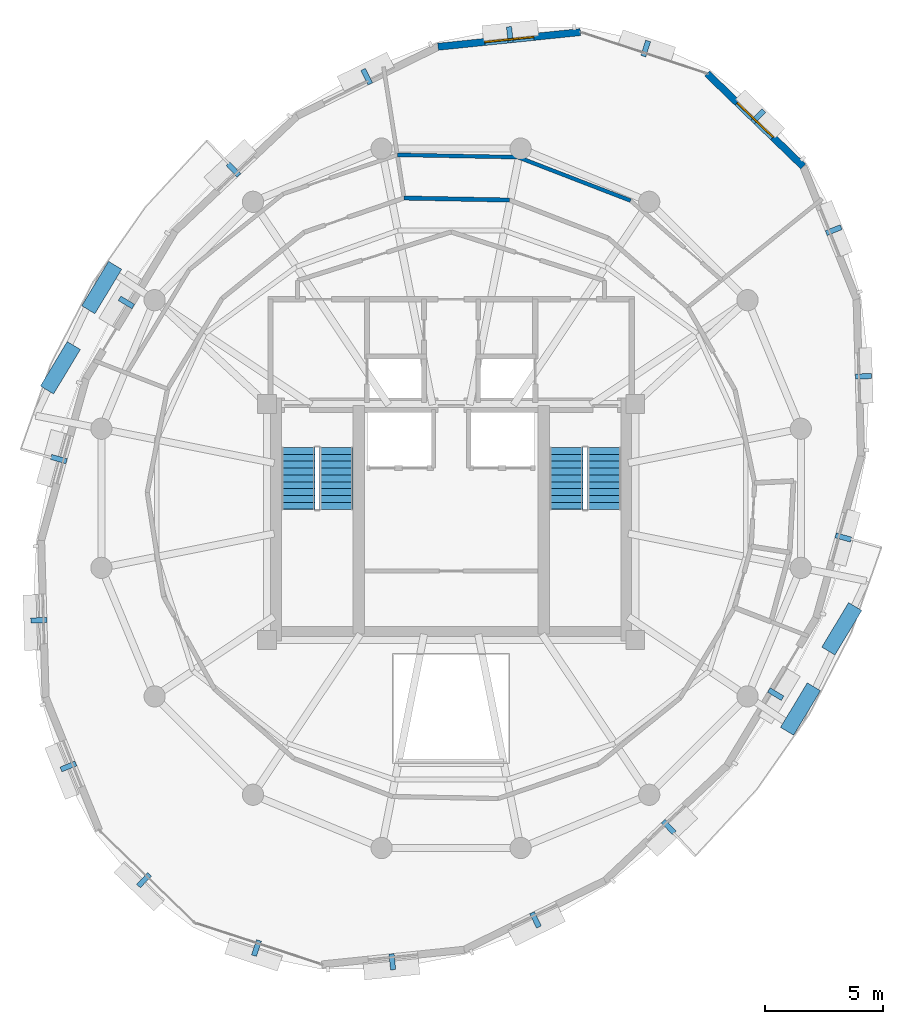
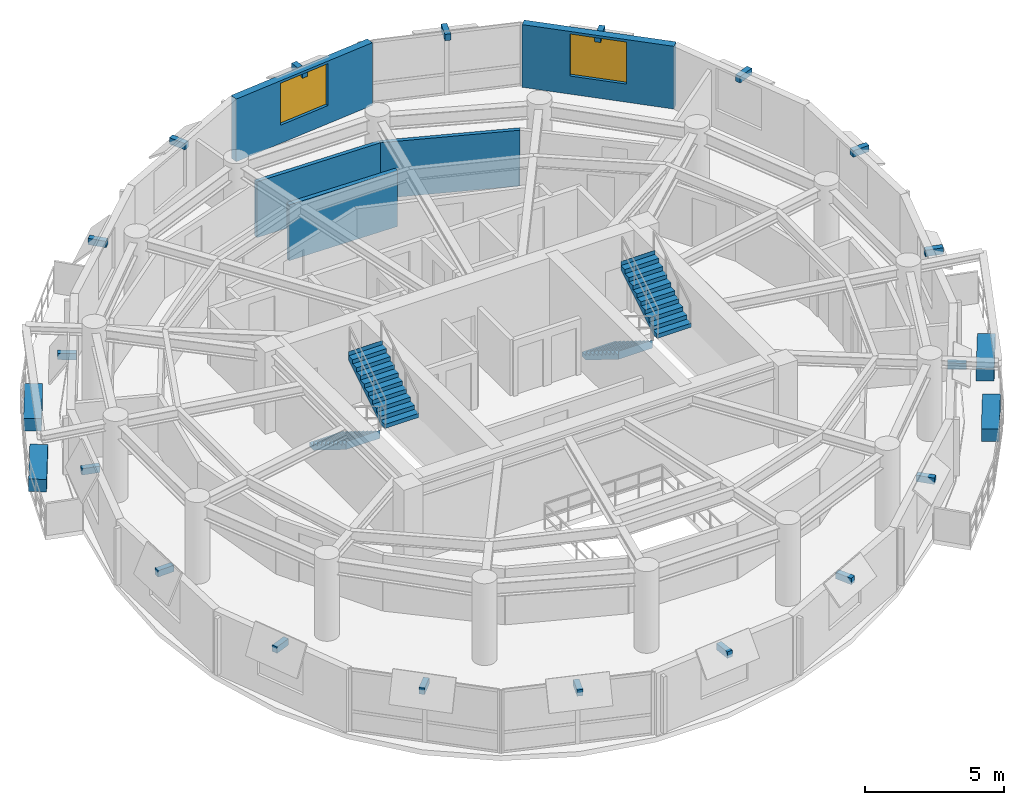
# One storey, part 9 of 11: 22 discrete accessories, 5 walls, 4 stair flights, 2 windows, 2 openings, 2 elements without a shape of their own.
"""IFC4 building model written with IfcOpenShell, lengths in metres."""

from ifc_helpers import new_model, si_unit, direction, frame, frame_2d, origin, origin_2d, place, context, subcontext, project, spatial, polyline, rectangle, outline, extrude, material, layer, layer_set, type_object, element, fill, aggregate, save


model = new_model("IFC4")

# Units and contexts
model_context = context("Model", 3, precision=1e-05, world=origin(), true_north=direction((0.0, 1.0)))
body_context = subcontext(model_context, "Body", "Model", "MODEL_VIEW")
ifc_project = project(units=[si_unit("LENGTHUNIT", "METRE"), si_unit("AREAUNIT", "SQUARE_METRE"), si_unit("VOLUMEUNIT", "CUBIC_METRE"), si_unit("PLANEANGLEUNIT", "RADIAN"), si_unit("MASSUNIT", "GRAM", prefix="KILO"), si_unit("THERMODYNAMICTEMPERATUREUNIT", "KELVIN"), si_unit("POWERUNIT", "WATT")], contexts=[model_context])

# Site, building, storey
site_placement = place(None, origin())
site = spatial("IfcSite", under=ifc_project, at=site_placement, CompositionType="ELEMENT")
building_placement = place(site_placement, origin())
building = spatial("IfcBuilding", under=site, at=building_placement, Name="Ocrelia Relay Tower", CompositionType="ELEMENT")
storey_placement = place(building_placement, frame((0.0, 0.0, 273.60009765625)))
storey = spatial("IfcBuildingStorey", under=building, at=storey_placement, Name="L68", CompositionType="ELEMENT", Elevation=273.60009765625)

# Wall
ifc_material_1 = material(Name="Gypsum Fireboard Partition EI60", Category="gypsum")
ifc_layer_1 = layer(ifc_material_1, 0.179931640625, Name="Gypsum Fireboard Partition EI60")
ifc_layer_set_1 = layer_set([ifc_layer_1], Name="Gypsum Fireboard Partition EI60")
wall_type_1 = type_object("IfcWallType", Name="W-CORR-EI60-180", PredefinedType="PARTITIONING", material=ifc_layer_set_1)
wall_1_placement = place(storey_placement, frame((36.477783203125, 38.629150390625, 0.0), z_axis=(0.0, 0.0, 1.0), x_axis=(-0.999815160221, 0.019226164239, 0.0)))
element("IfcWall", 1, at=wall_1_placement, inside=storey, type_object=wall_type_1, Name="L68 Spectrum Metrology Lab Corridor Partition 3", PredefinedType="PARTITIONING", context=body_context, shape_type="SweptSolid", body=[
    extrude(rectangle(XDim=4.4697265625, YDim=0.179931640625, at=frame_2d((2.23486328125, 0.0))), origin(), (0.0, 0.0, 1.0), 2.4599609375),
])

# Wall, opening, window
ifc_material_2 = material(Name="Precast concrete C40/50 with oxide terracotta", Category="masonry")
ifc_layer_2 = layer(ifc_material_2, 0.300048828125, Name="Precast concrete C40/50 with oxide terracotta")
ifc_layer_set_2 = layer_set([ifc_layer_2], Name="Precast concrete C40/50 with oxide terracotta")
wall_type_2 = type_object("IfcWallType", Name="W-EXT-TERR-300", PredefinedType="SOLIDWALL", material=ifc_layer_set_2)
wall_2_placement = place(storey_placement, frame((39.47802734375, 45.741455078125, 0.0), z_axis=(0.0, 0.0, 1.0), x_axis=(-0.994737324556, -0.102458065252, 0.0)))
wall_2 = element("IfcWall", 2, at=wall_2_placement, inside=storey, type_object=wall_type_2, Name="L68 Oxide Terracotta Facade Wall 02", PredefinedType="SOLIDWALL", context=body_context, shape_type="SweptSolid", body=[
    extrude(rectangle(XDim=6.06201171875, YDim=0.300048828125, at=frame_2d((3.031005859375, 0.0))), origin(), (0.0, 0.0, 1.0), 2.760009765625),
])
opening_1_placement = place(wall_2_placement, frame((1.98095703125, 0.0, 0.800048828125)))
opening_1 = element("IfcOpeningElement", 3, at=opening_1_placement, cuts=wall_2, Name="Opening W-07", PredefinedType="OPENING", context=body_context, shape_type="SweptSolid", body=[
    extrude(rectangle(XDim=2.10009765625, YDim=1.85009765625, at=frame_2d((1.050048828125, 0.925048828125))), frame((0.0, 0.16015625, 0.0), z_axis=(0.0, -1.0, 0.0), x_axis=(1.0, 0.0, 0.0)), (0.0, 0.0, 1.0), 0.320068359375),
])
ifc_material_3 = material(Name="Clear double-glazed low-E glass", Category="glass")
window_type = type_object("IfcWindowType", Name="WIN-Z4-2100x2200", PartitioningType="DOUBLE_PANEL_VERTICAL", PredefinedType="WINDOW", material=ifc_material_3)
window_1_placement = place(opening_1_placement, origin())
window_1 = element("IfcWindow", 4, at=window_1_placement, inside=storey, type_object=window_type, Name="L68 Facade Module Window 02", OverallHeight=1.85009765625, OverallWidth=2.10009765625, PartitioningType="SINGLE_PANEL", PredefinedType="WINDOW", context=body_context, shape_type="SweptSolid", body=[
    extrude(rectangle(XDim=2.10009765625, YDim=1.85009765625, at=frame_2d((1.050048828125, 0.925048828125))), frame((0.0, 0.030029296875, 0.0), z_axis=(0.0, -1.0, 0.0), x_axis=(1.0, 0.0, 0.0)), (0.0, 0.0, 1.0), 0.06005859375),
])
fill(opening_1, window_1)

wall_3_placement = place(storey_placement, frame((48.908203125, 40.052978515625, 0.0), z_axis=(0.0, 0.0, 1.0), x_axis=(-0.71871914798, 0.695300500739, 0.0)))
wall_3 = element("IfcWall", 5, at=wall_3_placement, inside=storey, type_object=wall_type_2, Name="L68 Oxide Terracotta Facade Wall 18", PredefinedType="SOLIDWALL", context=body_context, shape_type="SweptSolid", body=[
    extrude(rectangle(XDim=5.650390625, YDim=0.300048828125, at=frame_2d((2.8251953125, 0.0))), origin(), (0.0, 0.0, 1.0), 2.760009765625),
])
opening_2_placement = place(wall_3_placement, frame((1.77490234375, 0.0, 0.800048828125)))
opening_2 = element("IfcOpeningElement", 6, at=opening_2_placement, cuts=wall_3, Name="Opening W-07", PredefinedType="OPENING", context=body_context, shape_type="SweptSolid", body=[
    extrude(rectangle(XDim=2.10009765625, YDim=1.85009765625, at=frame_2d((1.050048828125, 0.925048828125))), frame((0.0, 0.16015625, 0.0), z_axis=(0.0, -1.0, 0.0), x_axis=(1.0, 0.0, 0.0)), (0.0, 0.0, 1.0), 0.320068359375),
])
window_2_placement = place(opening_2_placement, origin())
window_2 = element("IfcWindow", 7, at=window_2_placement, inside=storey, type_object=window_type, Name="L68 Facade Module Window 18", OverallHeight=1.85009765625, OverallWidth=2.10009765625, PartitioningType="SINGLE_PANEL", PredefinedType="WINDOW", context=body_context, shape_type="SweptSolid", body=[
    extrude(rectangle(XDim=2.10009765625, YDim=1.85009765625, at=frame_2d((1.050048828125, 0.925048828125))), frame((0.0, 0.030029296875, 0.0), z_axis=(0.0, -1.0, 0.0), x_axis=(1.0, 0.0, 0.0)), (0.0, 0.0, 1.0), 0.06005859375),
])
fill(opening_2, window_2)

# Walls
ifc_material_4 = material(Name="Acoustic Fireboard Partition EI60", Category="gypsum")
ifc_layer_3 = layer(ifc_material_4, 0.159912109375, Name="Acoustic Fireboard Partition EI60")
ifc_layer_set_3 = layer_set([ifc_layer_3], Name="Acoustic Fireboard Partition EI60")
wall_type_3 = type_object("IfcWallType", Name="W-PART-160", PredefinedType="PARTITIONING", material=ifc_layer_set_3)
for number, where, z_axis, x_axis, name in (
    (8, (41.603515625, 38.604248046875, 0.0), (0.0, 0.0, 1.0), (-0.932958587415, 0.359983713756, 0.0), "L68 Perimeter Spectrum Metrology Lab Mid-Ring Partition 2"),
    (9, (36.833984375, 40.444580078125, 0.0), (0.0, 0.0, 1.0), (-0.999815704547, 0.019197836895, 0.0), "L68 Perimeter Spectrum Metrology Lab Mid-Ring Partition 3"),
):
    element("IfcWall", number, at=place(storey_placement, frame(where, z_axis=z_axis, x_axis=x_axis)), inside=storey, type_object=wall_type_3, Name=name, PredefinedType="PARTITIONING", context=body_context, shape_type="SweptSolid", body=[
        extrude(rectangle(XDim=5.1123046875, YDim=0.159912109375, at=frame_2d((2.55615234375, 0.0))), origin(), (0.0, 0.0, 1.0), 2.4599609375),
    ])

# Stair, stair flights
ifc_material_5 = material(Name="Concrete C50/60", Category="concrete")
stair_type = type_object("IfcStairType", Name="ST-DL-1420-R180", PredefinedType="HALF_TURN_STAIR", material=ifc_material_5)
stair_1_placement = place(storey_placement, origin())
stair_1 = element("IfcStair", 10, at=stair_1_placement, inside=storey, type_object=stair_type, Name="L68 West Core Exit Stair ST1", PredefinedType="HALF_TURN_STAIR")
stair_flight_type = type_object("IfcStairFlightType", Name="STF-DL-1420-R180", PredefinedType="STRAIGHT", material=ifc_material_5)
stair_flight_1_placement = place(storey_placement, frame((27.52001953125, 28.14990234375, 0.0), z_axis=(0.0, 0.0, 1.0), x_axis=(0.0, -1.0, 0.0)))
stair_flight_1 = element("IfcStairFlight", 11, at=stair_flight_1_placement, type_object=stair_flight_type, Name="ST1 flight 1", NumberOfRisers=10, NumberOfTreads=9, PredefinedType="STRAIGHT", RiserHeight=0.18, TreadLength=0.29, context=body_context, shape_type="SweptSolid", body=[
    extrude(outline(polyline([(-0.008056640625, 0.0), (-0.008056640625, 0.179931640625), (0.0, 0.179931640625), (0.2900390625, 0.179931640625), (0.2900390625, 0.360107421875), (0.580078125, 0.360107421875), (0.580078125, 0.5400390625), (0.8701171875, 0.5400390625), (0.8701171875, 0.719970703125), (1.159912109375, 0.719970703125), (1.159912109375, 0.89990234375), (1.449951171875, 0.89990234375), (1.449951171875, 1.080078125), (1.739990234375, 1.080078125), (1.739990234375, 1.260009765625), (2.030029296875, 1.260009765625), (2.030029296875, 1.43994140625), (2.320068359375, 1.43994140625), (2.320068359375, 1.6201171875), (2.610107421875, 1.6201171875), (2.610107421875, 1.800048828125), (2.617919921875, 1.800048828125), (2.617919921875, 1.443603515625), (0.2841796875, 0.0), (-0.008056640625, 0.0)])), frame((0.0, 0.7099609375, 0.0), z_axis=(0.0, -1.0, 0.0), x_axis=(1.0, 0.0, 0.0)), (0.0, 0.0, 1.0), 1.419921875),
])
stair_flight_2_placement = place(storey_placement, frame((29.139892578125, 25.5400390625, 1.7998046875), z_axis=(0.0, 0.0, 1.0), x_axis=(0.0, 1.0, 0.0)))
stair_flight_2 = element("IfcStairFlight", 12, at=stair_flight_2_placement, type_object=stair_flight_type, Name="ST1 flight 2", NumberOfRisers=10, NumberOfTreads=9, PredefinedType="STRAIGHT", RiserHeight=0.18, TreadLength=0.29, context=body_context, shape_type="SweptSolid", body=[
    extrude(outline(polyline([(-0.008056640625, 0.0), (-0.008056640625, 0.179931640625), (0.0, 0.179931640625), (0.2900390625, 0.179931640625), (0.2900390625, 0.360107421875), (0.580078125, 0.360107421875), (0.580078125, 0.5400390625), (0.8701171875, 0.5400390625), (0.8701171875, 0.719970703125), (1.159912109375, 0.719970703125), (1.159912109375, 0.89990234375), (1.449951171875, 0.89990234375), (1.449951171875, 1.080078125), (1.739990234375, 1.080078125), (1.739990234375, 1.260009765625), (2.030029296875, 1.260009765625), (2.030029296875, 1.43994140625), (2.320068359375, 1.43994140625), (2.320068359375, 1.6201171875), (2.610107421875, 1.6201171875), (2.610107421875, 1.800048828125), (2.617919921875, 1.800048828125), (2.617919921875, 1.443603515625), (0.2841796875, 0.0), (-0.008056640625, 0.0)])), frame((0.0, 0.7099609375, 0.0), z_axis=(0.0, -1.0, 0.0), x_axis=(1.0, 0.0, 0.0)), (0.0, 0.0, 1.0), 1.419921875),
])
aggregate(stair_1, [stair_flight_1, stair_flight_2])

stair_2_placement = place(storey_placement, origin())
stair_2 = element("IfcStair", 13, at=stair_2_placement, inside=storey, type_object=stair_type, Name="L68 East Core Exit Stair ST2", PredefinedType="HALF_TURN_STAIR")
stair_flight_3_placement = place(storey_placement, frame((38.8701171875, 28.14990234375, 0.0), z_axis=(0.0, 0.0, 1.0), x_axis=(0.0, -1.0, 0.0)))
stair_flight_3 = element("IfcStairFlight", 14, at=stair_flight_3_placement, type_object=stair_flight_type, Name="ST2 flight 1", NumberOfRisers=10, NumberOfTreads=9, PredefinedType="STRAIGHT", RiserHeight=0.18, TreadLength=0.29, context=body_context, shape_type="SweptSolid", body=[
    extrude(outline(polyline([(-0.008056640625, 0.0), (-0.008056640625, 0.179931640625), (0.0, 0.179931640625), (0.2900390625, 0.179931640625), (0.2900390625, 0.360107421875), (0.580078125, 0.360107421875), (0.580078125, 0.5400390625), (0.8701171875, 0.5400390625), (0.8701171875, 0.719970703125), (1.159912109375, 0.719970703125), (1.159912109375, 0.89990234375), (1.449951171875, 0.89990234375), (1.449951171875, 1.080078125), (1.739990234375, 1.080078125), (1.739990234375, 1.260009765625), (2.030029296875, 1.260009765625), (2.030029296875, 1.43994140625), (2.320068359375, 1.43994140625), (2.320068359375, 1.6201171875), (2.610107421875, 1.6201171875), (2.610107421875, 1.800048828125), (2.617919921875, 1.800048828125), (2.617919921875, 1.443603515625), (0.2841796875, 0.0), (-0.008056640625, 0.0)])), frame((0.0, 0.7099609375, 0.0), z_axis=(0.0, -1.0, 0.0), x_axis=(1.0, 0.0, 0.0)), (0.0, 0.0, 1.0), 1.419921875),
])
stair_flight_4_placement = place(storey_placement, frame((40.489990234375, 25.5400390625, 1.7998046875), z_axis=(0.0, 0.0, 1.0), x_axis=(0.0, 1.0, 0.0)))
stair_flight_4 = element("IfcStairFlight", 15, at=stair_flight_4_placement, type_object=stair_flight_type, Name="ST2 flight 2", NumberOfRisers=10, NumberOfTreads=9, PredefinedType="STRAIGHT", RiserHeight=0.18, TreadLength=0.29, context=body_context, shape_type="SweptSolid", body=[
    extrude(outline(polyline([(-0.008056640625, 0.0), (-0.008056640625, 0.179931640625), (0.0, 0.179931640625), (0.2900390625, 0.179931640625), (0.2900390625, 0.360107421875), (0.580078125, 0.360107421875), (0.580078125, 0.5400390625), (0.8701171875, 0.5400390625), (0.8701171875, 0.719970703125), (1.159912109375, 0.719970703125), (1.159912109375, 0.89990234375), (1.449951171875, 0.89990234375), (1.449951171875, 1.080078125), (1.739990234375, 1.080078125), (1.739990234375, 1.260009765625), (2.030029296875, 1.260009765625), (2.030029296875, 1.43994140625), (2.320068359375, 1.43994140625), (2.320068359375, 1.6201171875), (2.610107421875, 1.6201171875), (2.610107421875, 1.800048828125), (2.617919921875, 1.800048828125), (2.617919921875, 1.443603515625), (0.2841796875, 0.0), (-0.008056640625, 0.0)])), frame((0.0, 0.7099609375, 0.0), z_axis=(0.0, -1.0, 0.0), x_axis=(1.0, 0.0, 0.0)), (0.0, 0.0, 1.0), 1.419921875),
])
aggregate(stair_2, [stair_flight_3, stair_flight_4])

# Discrete accessories
ifc_material_6 = material(Name="Precast concrete C40/50 planter with highland greenery", Category="concrete")
discrete_accessory_type_1 = type_object("IfcDiscreteAccessoryType", Name="ACC-BALC-PLANTER", PredefinedType="USERDEFINED", material=ifc_material_6)
for number, where, z_axis, x_axis, name in (
    (16, (19.205810546875, 34.92431640625, 0.0), (0.0, 0.0, 1.0), (0.516531332734, 0.856268288741, 0.0), "L68 Balcony Terracotta Planter with Greenery B1"),
    (17, (17.4560546875, 31.52685546875, 0.0), (0.0, 0.0, 1.0), (0.516531332734, 0.856268288741, 0.0), "L68 Balcony Terracotta Planter B1-2"),
    (18, (48.794189453125, 17.07568359375, 0.0), (0.0, 0.0, 1.0), (-0.516531332734, -0.856268288741, 0.0), "L68 Balcony Terracotta Planter with Greenery B2"),
    (19, (50.5439453125, 20.47314453125, 0.0), (0.0, 0.0, 1.0), (-0.516531332734, -0.856268288741, 0.0), "L68 Balcony Terracotta Planter B2-2"),
):
    element("IfcDiscreteAccessory", number, at=place(storey_placement, frame(where, z_axis=z_axis, x_axis=x_axis)), inside=storey, type_object=discrete_accessory_type_1, Name=name, ObjectType="PLANTER", PredefinedType="USERDEFINED", context=body_context, shape_type="SweptSolid", body=[
        extrude(rectangle(XDim=2.199951171875, YDim=0.64990234375, at=origin_2d()), origin(), (0.0, 0.0, 1.0), 0.550048828125),
    ])
ifc_material_7 = material(Name="Steel S355", Category="steel")
discrete_accessory_type_2 = type_object("IfcDiscreteAccessoryType", Name="ACC-VISOR-BRACKET", PredefinedType="BRACKET", material=ifc_material_7)
for number, where, z_axis, x_axis, name in (
    (20, (42.241943359375, 45.045166015625, 2.4599609375), (0.0, 0.0, 1.0), (-0.950255391519, 0.311471813957, 0.0), "L68 Visor Mounting Bracket 01"),
    (21, (36.48828125, 45.62939453125, 2.4599609375), (0.0, 0.0, 1.0), (-0.994735487281, -0.102475901283, 0.0), "L68 Visor Mounting Bracket 02"),
    (22, (30.427001953125, 43.852783203125, 2.4599609375), (0.0, 0.0, 1.0), (-0.897663929451, -0.44068068912, 0.0), "L68 Visor Mounting Bracket 03"),
    (23, (24.785400390625, 39.919189453125, 2.4599609375), (0.0, 0.0, 1.0), (-0.727676186055, -0.685920817768, 0.0), "L68 Visor Mounting Bracket 04"),
    (24, (20.252197265625, 34.293212890625, 2.4599609375), (0.0, 0.0, 1.0), (-0.516536895156, -0.856264933267, 0.0), "L68 Visor Mounting Bracket 05"),
    (25, (17.3896484375, 27.6591796875, 2.4599609375), (0.0, 0.0, 1.0), (-0.267369853648, -0.963593981592, 0.0), "L68 Visor Mounting Bracket 06"),
    (26, (16.54150390625, 20.834228515625, 2.4599609375), (0.0, 0.0, 1.0), (0.028856720691, -0.999583558124, 0.0), "L68 Visor Mounting Bracket 07"),
    (27, (17.796875, 14.644287109375, 2.4599609375), (0.0, 0.0, 1.0), (0.373269965577, -0.927722767209, 0.0), "L68 Visor Mounting Bracket 08"),
    (28, (20.9970703125, 9.826904296875, 2.4599609375), (0.0, 0.0, 1.0), (0.718708551146, -0.695311454321, 0.0), "L68 Visor Mounting Bracket 09"),
    (29, (25.758056640625, 6.954833984375, 2.4599609375), (0.0, 0.0, 1.0), (0.950255391519, -0.311471813957, 0.0), "L68 Visor Mounting Bracket 10"),
    (30, (31.51171875, 6.37060546875, 2.4599609375), (0.0, 0.0, 1.0), (0.994735487281, 0.102475901283, 0.0), "L68 Visor Mounting Bracket 11"),
    (31, (37.572998046875, 8.147216796875, 2.4599609375), (0.0, 0.0, 1.0), (0.897663929451, 0.44068068912, 0.0), "L68 Visor Mounting Bracket 12"),
    (32, (43.214599609375, 12.080810546875, 2.4599609375), (0.0, 0.0, 1.0), (0.727676186055, 0.685920817768, 0.0), "L68 Visor Mounting Bracket 13"),
    (33, (47.747802734375, 17.706787109375, 2.4599609375), (0.0, 0.0, 1.0), (0.516536895156, 0.856264933267, 0.0), "L68 Visor Mounting Bracket 14"),
    (34, (50.6103515625, 24.3408203125, 2.4599609375), (0.0, 0.0, 1.0), (0.267369853648, 0.963593981592, 0.0), "L68 Visor Mounting Bracket 15"),
    (35, (51.45849609375, 31.165771484375, 2.4599609375), (0.0, 0.0, 1.0), (-0.028856720691, 0.999583558124, 0.0), "L68 Visor Mounting Bracket 16"),
    (36, (50.203125, 37.355712890625, 2.4599609375), (0.0, 0.0, 1.0), (-0.373269965577, 0.927722767209, 0.0), "L68 Visor Mounting Bracket 17"),
    (37, (47.0029296875, 42.173095703125, 2.4599609375), (0.0, 0.0, 1.0), (-0.718708551146, 0.695311454321, 0.0), "L68 Visor Mounting Bracket 18"),
):
    element("IfcDiscreteAccessory", number, at=place(storey_placement, frame(where, z_axis=z_axis, x_axis=x_axis)), inside=storey, type_object=discrete_accessory_type_2, Name=name, PredefinedType="BRACKET", context=body_context, shape_type="SweptSolid", body=[
        extrude(rectangle(XDim=0.219970703125, YDim=0.679931640625, at=origin_2d()), origin(), (0.0, 0.0, 1.0), 0.280029296875),
    ])

save(model, "model.ifc")
